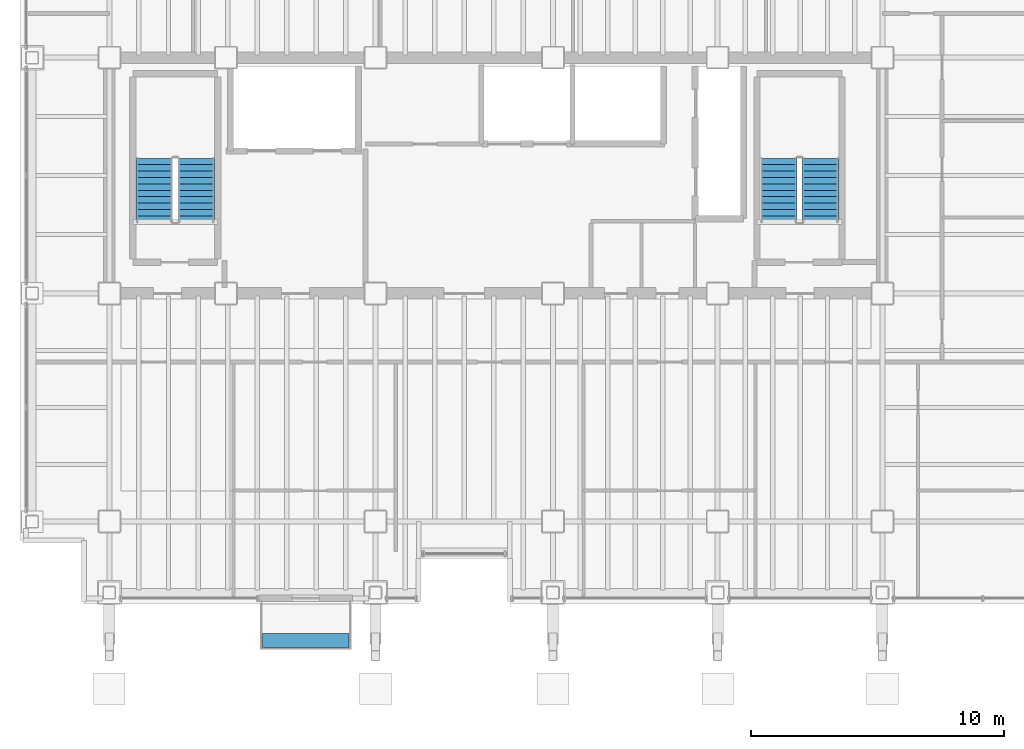
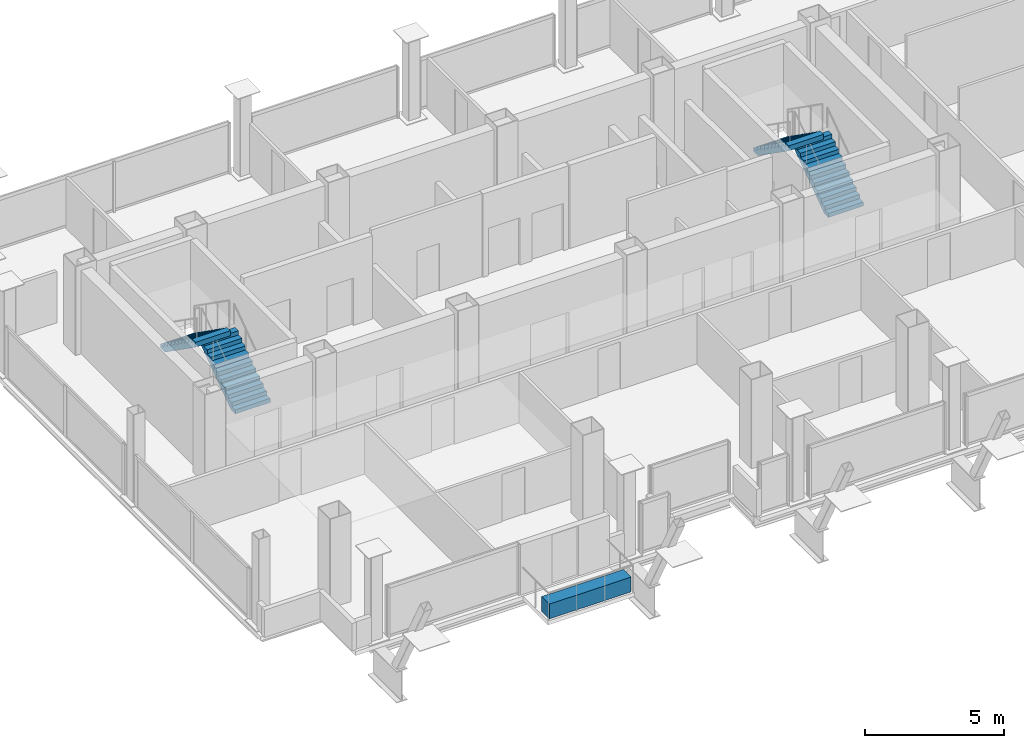
# One storey, part 15 of 16: 4 stair flights, 1 discrete accessory, 2 elements without a shape of their own.
"""IFC4 building model written with IfcOpenShell, lengths in metres."""

import ifcopenshell
import ifcopenshell.guid

model = None  # the IFC model being written
_history = None  # IfcOwnerHistory: only IFC2X3 demands one
_inside = {}  # id of a spatial element -> (the spatial element, [elements in it])
_under = {}  # id of a project, library or spatial element -> (it, [spatial elements below it])
_declared = {}  # id of a project -> (the project, [libraries it declares])
_typed = {}  # id of a type object -> (the type object, [elements of that type])
_made_of = {}  # id of a material, layer set ... -> (it, [elements and type objects made of it])


def new_model(schema):
    """Start an empty IFC model of exactly this schema.

    Asked for "IFC4X3", IfcOpenShell would pick the latest addendum, in which some entities
    have other attributes; the version numbers below select the first issue.
    IFC2X3 requires an IfcOwnerHistory on every rooted entity: one is made here for all.
    """
    global model, _history
    if schema == "IFC4X3":
        model = ifcopenshell.file(schema_version=(4, 3, 0, 0))
    else:
        model = ifcopenshell.file(schema=schema)
    _inside.clear()
    _under.clear()
    _declared.clear()
    _typed.clear()
    _made_of.clear()
    _history = None
    if model.schema == "IFC2X3":
        org = make("IfcOrganization", Name="unknown")
        user = make(
            "IfcPersonAndOrganization",
            ThePerson=make("IfcPerson", FamilyName="unknown"),
            TheOrganization=org,
        )
        app = make(
            "IfcApplication",
            ApplicationDeveloper=org,
            Version="unknown",
            ApplicationFullName="unknown",
            ApplicationIdentifier="unknown",
        )
        _history = make(
            "IfcOwnerHistory",
            OwningUser=user,
            OwningApplication=app,
            ChangeAction="ADDED",
            CreationDate=0,
        )
    return model


def make(cls, **values):
    """One entity of the class cls with the attributes given. An attribute that is None is left unset."""
    return model.create_entity(
        cls, **{name: value for name, value in values.items() if value is not None}
    )


def rooted(cls, **values):
    """An entity with a GlobalId (a new one), such as an element, a storey or a relation."""
    return make(cls, GlobalId=ifcopenshell.guid.new(), OwnerHistory=_history, **values)


def si_unit(unit_type, name, prefix=None):
    """IfcSIUnit, for example si_unit("LENGTHUNIT", "METRE", prefix="MILLI")."""
    return make("IfcSIUnit", UnitType=unit_type, Prefix=prefix, Name=name)


def assignment(units):
    """IfcUnitAssignment: the units of a project."""
    return None if units is None else make("IfcUnitAssignment", Units=units)


def point(xyz):
    """IfcCartesianPoint."""
    return None if xyz is None else make("IfcCartesianPoint", Coordinates=xyz)


def direction(xyz):
    """IfcDirection."""
    return None if xyz is None else make("IfcDirection", DirectionRatios=xyz)


def frame(location, z_axis=None, x_axis=None):
    """IfcAxis2Placement3D, a coordinate frame: its origin and axes. An axis left out is left unset."""
    return make(
        "IfcAxis2Placement3D",
        Location=point(location),
        Axis=direction(z_axis),
        RefDirection=direction(x_axis),
    )


def frame_2d(location, x_axis=None):
    """IfcAxis2Placement2D, a coordinate frame in the plane: its origin and x axis."""
    return make(
        "IfcAxis2Placement2D", Location=point(location), RefDirection=direction(x_axis)
    )


def origin():
    """The frame at (0, 0, 0) with its axes left unset."""
    return frame((0.0, 0.0, 0.0))


def origin_2d():
    """The frame at (0, 0) in the plane with its x axis left unset."""
    return frame_2d((0.0, 0.0))


def place(relative_to, where):
    """IfcLocalPlacement: puts the frame where relative to a parent placement (None: the world)."""
    return make(
        "IfcLocalPlacement", PlacementRelTo=relative_to, RelativePlacement=where
    )


def context(
    kind, dimensions, precision=None, world=None, true_north=None, identifier=None
):
    """IfcGeometricRepresentationContext, for example the 3D "Model" context."""
    return make(
        "IfcGeometricRepresentationContext",
        ContextIdentifier=identifier,
        ContextType=kind,
        CoordinateSpaceDimension=dimensions,
        Precision=precision,
        WorldCoordinateSystem=world,
        TrueNorth=true_north,
    )


def subcontext(parent, identifier, kind, view, scale=None):
    """IfcGeometricRepresentationSubContext, for example "Body" below "Model"."""
    return make(
        "IfcGeometricRepresentationSubContext",
        ContextIdentifier=identifier,
        ContextType=kind,
        ParentContext=parent,
        TargetScale=scale,
        TargetView=view,
    )


def project(units=None, contexts=None):
    """IfcProject with its units and contexts."""
    return rooted(
        "IfcProject",
        Name="project",
        RepresentationContexts=contexts,
        UnitsInContext=assignment(units),
    )


def spatial(cls, under=None, at=None, **own):
    """A site, building, storey or space (cls), placed at a placement, below another one or the project."""
    s = rooted(cls, ObjectPlacement=at, **own)
    if under is not None:
        _under.setdefault(under.id(), (under, []))[1].append(s)
    return s


def polyline(points):
    """IfcPolyline through the points."""
    return make("IfcPolyline", Points=[point(p) for p in points])


def profile(cls, at=None, kind="AREA", **sizes):
    """A parametric profile (cls). Its sizes go by their IFC names, for example OverallWidth=200.0."""
    return make(cls, ProfileType=kind, Position=at, **sizes)


def rectangle(**sizes):
    """IfcRectangleProfileDef."""
    return profile("IfcRectangleProfileDef", **sizes)


def outline(outer, holes=None, kind="AREA"):
    """IfcArbitraryClosedProfileDef: a profile drawn as a closed curve; with holes, ...WithVoids."""
    if holes is None:
        return make("IfcArbitraryClosedProfileDef", ProfileType=kind, OuterCurve=outer)
    return make(
        "IfcArbitraryProfileDefWithVoids",
        ProfileType=kind,
        OuterCurve=outer,
        InnerCurves=holes,
    )


def extrude(swept, where, along, depth):
    """IfcExtrudedAreaSolid: the profile swept, set in the frame where, extruded along a direction by depth."""
    return make(
        "IfcExtrudedAreaSolid",
        SweptArea=swept,
        Position=where,
        ExtrudedDirection=direction(along),
        Depth=depth,
    )


def shape(context_of_items, identifier, shape_type, items):
    """IfcShapeRepresentation: the items that make up one representation, for example the "Body"."""
    return make(
        "IfcShapeRepresentation",
        ContextOfItems=context_of_items,
        RepresentationIdentifier=identifier,
        RepresentationType=shape_type,
        Items=items,
    )


def material(Name=None, Category=None):
    """IfcMaterial."""
    return make("IfcMaterial", Name=Name, Category=Category)


def layer(
    of_material, thickness, ventilated=None, Name=None, Category=None, Priority=None
):
    """IfcMaterialLayer: one layer of a wall or slab, of a material (None: an air gap)."""
    return make(
        "IfcMaterialLayer",
        Material=of_material,
        LayerThickness=thickness,
        IsVentilated=ventilated,
        Name=Name,
        Category=Category,
        Priority=Priority,
    )


def layer_set(layers, Name=None):
    """IfcMaterialLayerSet."""
    return make("IfcMaterialLayerSet", MaterialLayers=layers, LayerSetName=Name)


def made_of(thing, what):
    """Note that an element or type object is made of a material, layer set ...; save() writes the relation."""
    if what is not None:
        _made_of.setdefault(what.id(), (what, []))[1].append(thing)
    return thing


def type_object(cls, material=None, **own):
    """A type object (cls), such as IfcWallType, which elements share."""
    return made_of(rooted(cls, **own), material)


def element(
    cls,
    number,
    at=None,
    inside=None,
    cuts=None,
    type_object=None,
    material=None,
    context=None,
    identifier="Body",
    shape_type=None,
    held_by="IfcProductDefinitionShape",
    body=None,
    shapes=None,
    **own,
):
    """One element of the class cls, such as IfcWall. Its Tag is "e" and its number.

    at: its placement. inside: the storey or other place that contains it. cuts: it is an
    opening in that element (IfcRelVoidsElement). A single representation is given by context,
    identifier, shape_type and body (its items); several are given by shapes. held_by: the class
    of the entity that holds the representations. save() writes the other relations.
    """
    e = rooted(cls, Tag="e%d" % number, ObjectPlacement=at, **own)
    if body is not None:
        shapes = [shape(context, identifier, shape_type, body)]
    if shapes is not None:
        e.Representation = make(held_by, Representations=shapes)
    if inside is not None:
        _inside.setdefault(inside.id(), (inside, []))[1].append(e)
    if cuts is not None:
        rooted(
            "IfcRelVoidsElement", RelatingBuildingElement=cuts, RelatedOpeningElement=e
        )
    if type_object is not None:
        _typed.setdefault(type_object.id(), (type_object, []))[1].append(e)
    return made_of(e, material)


def aggregate(whole, parts):
    """IfcRelAggregates: a whole, such as a stair, and the parts it consists of."""
    return rooted("IfcRelAggregates", RelatingObject=whole, RelatedObjects=parts)


def save(model, path):
    """Write the relations noted so far, then the file.

    IfcRelAggregates (storeys below a building ...), IfcRelContainedInSpatialStructure (elements
    in a storey), IfcRelDefinesByType, IfcRelAssociatesMaterial and IfcRelDeclares: one each for
    every whole, place, type object, material and project.
    """
    for whole, parts in _under.values():
        aggregate(whole, parts)
    for where, things in _inside.values():
        rooted(
            "IfcRelContainedInSpatialStructure",
            RelatedElements=things,
            RelatingStructure=where,
        )
    for kind, things in _typed.values():
        rooted("IfcRelDefinesByType", RelatedObjects=things, RelatingType=kind)
    for what, things in _made_of.values():
        rooted("IfcRelAssociatesMaterial", RelatedObjects=things, RelatingMaterial=what)
    for by, libraries in _declared.values():
        rooted("IfcRelDeclares", RelatingContext=by, RelatedDefinitions=libraries)
    model.write(path)


model = new_model("IFC4")

# Units and contexts
model_context = context("Model", 3, precision=1e-05, world=origin(), true_north=direction((0.0, 1.0)))
body_context = subcontext(model_context, "Body", "Model", "MODEL_VIEW")
ifc_project = project(units=[si_unit("LENGTHUNIT", "METRE"), si_unit("AREAUNIT", "SQUARE_METRE"), si_unit("VOLUMEUNIT", "CUBIC_METRE"), si_unit("PLANEANGLEUNIT", "RADIAN"), si_unit("MASSUNIT", "GRAM", prefix="KILO")], contexts=[model_context])

# Site, building, storey
site_placement = place(None, origin())
site = spatial("IfcSite", under=ifc_project, at=site_placement, CompositionType="ELEMENT")
building_placement = place(site_placement, origin())
building = spatial("IfcBuilding", under=site, at=building_placement, Name="Noeulbin Bourse Tower", CompositionType="ELEMENT")
storey_placement = place(building_placement, frame((0.0, 0.0, 192.89990234375)))
storey = spatial("IfcBuildingStorey", under=building, at=storey_placement, Name="L48", CompositionType="ELEMENT", Elevation=192.89990234375)

# Stair, stair flights
ifc_material_1 = material(Name="Concrete C40/50", Category="concrete")
stair_type = type_object("IfcStairType", Name="STR-CORE-1560", PredefinedType="HALF_TURN_STAIR", material=ifc_material_1)
stair_1_placement = place(storey_placement, origin())
stair_1 = element("IfcStair", 1, at=stair_1_placement, inside=storey, type_object=stair_type, Name="L48 ST-1", PredefinedType="HALF_TURN_STAIR")
stair_flight_type = type_object("IfcStairFlightType", Name="SFL-CORE-1560", PredefinedType="STRAIGHT", material=ifc_material_1)
stair_flight_1_placement = place(storey_placement, frame((16.925048828125, 31.81005859375, 0.0), z_axis=(0.0, 0.0, 1.0), x_axis=(0.0, 1.0, 0.0)))
stair_flight_1 = element("IfcStairFlight", 2, at=stair_flight_1_placement, type_object=stair_flight_type, Name="ST-1 flight 1", NumberOfRisers=11, NumberOfTreads=10, PredefinedType="STRAIGHT", RiserHeight=0.177272727, TreadLength=0.252, context=body_context, shape_type="SweptSolid", body=[
    extrude(outline(polyline([(0.0, 0.0), (0.0, 0.17724609375), (0.251953125, 0.17724609375), (0.251953125, 0.3544921875), (0.50390625, 0.3544921875), (0.50390625, 0.53173828125), (0.756103515625, 0.53173828125), (0.756103515625, 0.708984375), (1.008056640625, 0.708984375), (1.008056640625, 0.886474609375), (1.260009765625, 0.886474609375), (1.260009765625, 1.063720703125), (1.511962890625, 1.063720703125), (1.511962890625, 1.240966796875), (1.763916015625, 1.240966796875), (1.763916015625, 1.418212890625), (2.01611328125, 1.418212890625), (2.01611328125, 1.595458984375), (2.26806640625, 1.595458984375), (2.26806640625, 1.772705078125), (2.52001953125, 1.772705078125), (2.52001953125, 1.949951171875), (2.52001953125, 1.552734375), (0.312744140625, 0.0), (0.0, 0.0)])), frame((0.0, 0.72509765625, 0.0), z_axis=(0.0, -1.0, 0.0), x_axis=(1.0, 0.0, 0.0)), (0.0, 0.0, 1.0), 1.449951171875),
])
stair_flight_2_placement = place(storey_placement, frame((15.27490234375, 34.330078125, 1.9501953125), z_axis=(0.0, 0.0, 1.0), x_axis=(0.0, -1.0, 0.0)))
stair_flight_2 = element("IfcStairFlight", 3, at=stair_flight_2_placement, type_object=stair_flight_type, Name="ST-1 flight 2", NumberOfRisers=11, NumberOfTreads=10, PredefinedType="STRAIGHT", RiserHeight=0.177272727, TreadLength=0.252, context=body_context, shape_type="SweptSolid", body=[
    extrude(outline(polyline([(0.0, 0.0), (0.0, 0.17724609375), (0.251953125, 0.17724609375), (0.251953125, 0.3544921875), (0.50390625, 0.3544921875), (0.50390625, 0.53173828125), (0.756103515625, 0.53173828125), (0.756103515625, 0.708984375), (1.008056640625, 0.708984375), (1.008056640625, 0.886474609375), (1.260009765625, 0.886474609375), (1.260009765625, 1.063720703125), (1.511962890625, 1.063720703125), (1.511962890625, 1.240966796875), (1.763916015625, 1.240966796875), (1.763916015625, 1.418212890625), (2.01611328125, 1.418212890625), (2.01611328125, 1.595458984375), (2.26806640625, 1.595458984375), (2.26806640625, 1.772705078125), (2.52001953125, 1.772705078125), (2.52001953125, 1.949951171875), (2.52001953125, 1.552734375), (0.312744140625, 0.0), (0.0, 0.0)])), frame((0.0, 0.72509765625, 0.0), z_axis=(0.0, -1.0, 0.0), x_axis=(1.0, 0.0, 0.0)), (0.0, 0.0, 1.0), 1.449951171875),
])
aggregate(stair_1, [stair_flight_1, stair_flight_2])

stair_2_placement = place(storey_placement, origin())
stair_2 = element("IfcStair", 4, at=stair_2_placement, inside=storey, type_object=stair_type, Name="L48 ST-2", PredefinedType="HALF_TURN_STAIR")
stair_flight_3_placement = place(storey_placement, frame((41.554931640625, 31.81005859375, 0.0), z_axis=(0.0, 0.0, 1.0), x_axis=(0.0, 1.0, 0.0)))
stair_flight_3 = element("IfcStairFlight", 5, at=stair_flight_3_placement, type_object=stair_flight_type, Name="ST-2 flight 1", NumberOfRisers=11, NumberOfTreads=10, PredefinedType="STRAIGHT", RiserHeight=0.177272727, TreadLength=0.252, context=body_context, shape_type="SweptSolid", body=[
    extrude(outline(polyline([(0.0, 0.0), (0.0, 0.17724609375), (0.251953125, 0.17724609375), (0.251953125, 0.3544921875), (0.50390625, 0.3544921875), (0.50390625, 0.53173828125), (0.756103515625, 0.53173828125), (0.756103515625, 0.708984375), (1.008056640625, 0.708984375), (1.008056640625, 0.886474609375), (1.260009765625, 0.886474609375), (1.260009765625, 1.063720703125), (1.511962890625, 1.063720703125), (1.511962890625, 1.240966796875), (1.763916015625, 1.240966796875), (1.763916015625, 1.418212890625), (2.01611328125, 1.418212890625), (2.01611328125, 1.595458984375), (2.26806640625, 1.595458984375), (2.26806640625, 1.772705078125), (2.52001953125, 1.772705078125), (2.52001953125, 1.949951171875), (2.52001953125, 1.552734375), (0.312744140625, 0.0), (0.0, 0.0)])), frame((0.0, 0.72509765625, 0.0), z_axis=(0.0, -1.0, 0.0), x_axis=(1.0, 0.0, 0.0)), (0.0, 0.0, 1.0), 1.449951171875),
])
stair_flight_4_placement = place(storey_placement, frame((39.905029296875, 34.330078125, 1.9501953125), z_axis=(0.0, 0.0, 1.0), x_axis=(0.0, -1.0, 0.0)))
stair_flight_4 = element("IfcStairFlight", 6, at=stair_flight_4_placement, type_object=stair_flight_type, Name="ST-2 flight 2", NumberOfRisers=11, NumberOfTreads=10, PredefinedType="STRAIGHT", RiserHeight=0.177272727, TreadLength=0.252, context=body_context, shape_type="SweptSolid", body=[
    extrude(outline(polyline([(0.0, 0.0), (0.0, 0.17724609375), (0.251953125, 0.17724609375), (0.251953125, 0.3544921875), (0.50390625, 0.3544921875), (0.50390625, 0.53173828125), (0.756103515625, 0.53173828125), (0.756103515625, 0.708984375), (1.008056640625, 0.708984375), (1.008056640625, 0.886474609375), (1.260009765625, 0.886474609375), (1.260009765625, 1.063720703125), (1.511962890625, 1.063720703125), (1.511962890625, 1.240966796875), (1.763916015625, 1.240966796875), (1.763916015625, 1.418212890625), (2.01611328125, 1.418212890625), (2.01611328125, 1.595458984375), (2.26806640625, 1.595458984375), (2.26806640625, 1.772705078125), (2.52001953125, 1.772705078125), (2.52001953125, 1.949951171875), (2.52001953125, 1.552734375), (0.312744140625, 0.0), (0.0, 0.0)])), frame((0.0, 0.72509765625, 0.0), z_axis=(0.0, -1.0, 0.0), x_axis=(1.0, 0.0, 0.0)), (0.0, 0.0, 1.0), 1.449951171875),
])
aggregate(stair_2, [stair_flight_3, stair_flight_4])

# Discrete accessory
ifc_material_2 = material(Name="Architectural GFRC Concrete C40/50", Category="concrete")
ifc_layer = layer(ifc_material_2, 0.64990234375)
ifc_layer_set = layer_set([ifc_layer], Name="Architectural GFRC Concrete C40/50")
discrete_accessory_type = type_object("IfcDiscreteAccessoryType", Name="PLANTER-BOX-3600", PredefinedType="USERDEFINED", material=ifc_layer_set)
discrete_accessory_placement = place(storey_placement, frame((21.25, 15.31005859375, 0.000244140625), z_axis=(0.0, 0.0, 1.0), x_axis=(1.0, 0.0, 0.0)))
element("IfcDiscreteAccessory", 7, at=discrete_accessory_placement, inside=storey, type_object=discrete_accessory_type, Name="Integrated Balcony Tree Planter Box L48", ObjectType="PLANTER", PredefinedType="USERDEFINED", context=body_context, shape_type="SweptSolid", body=[
    extrude(rectangle(XDim=3.39990234375, YDim=0.550048828125, at=origin_2d()), origin(), (0.0, 0.0, 1.0), 0.64990234375),
])

save(model, "model.ifc")
